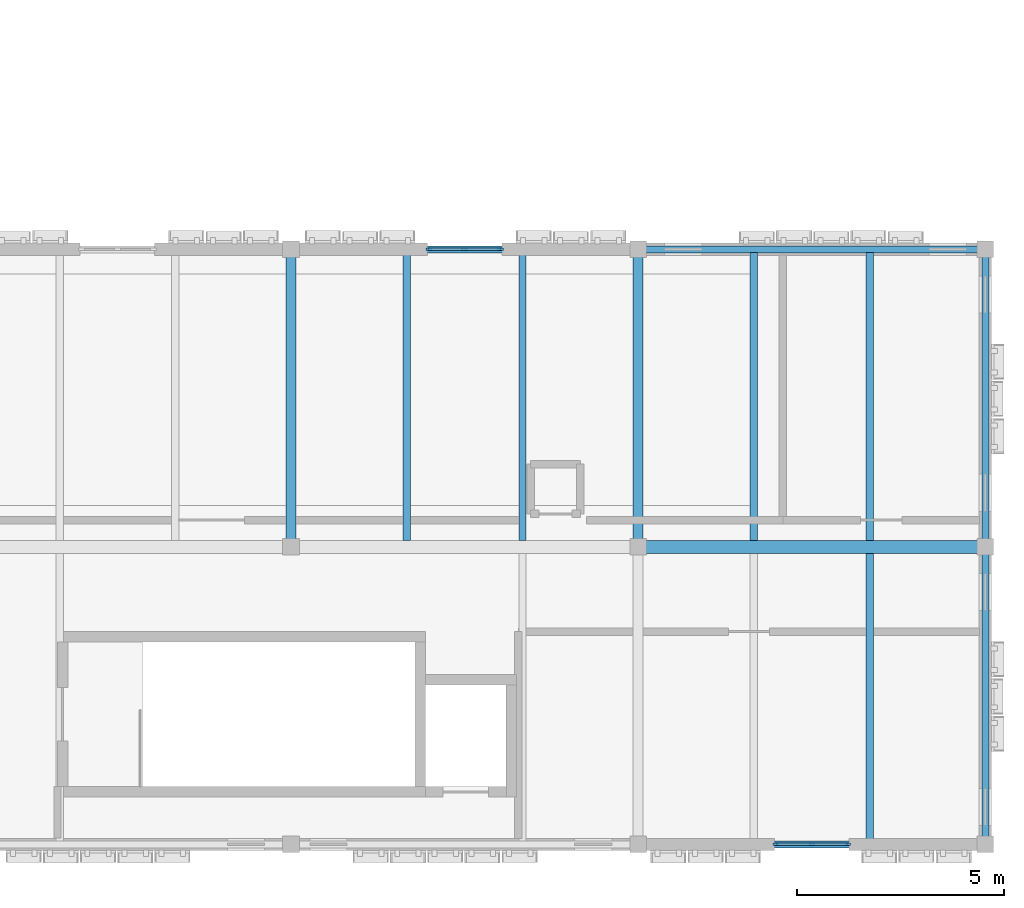
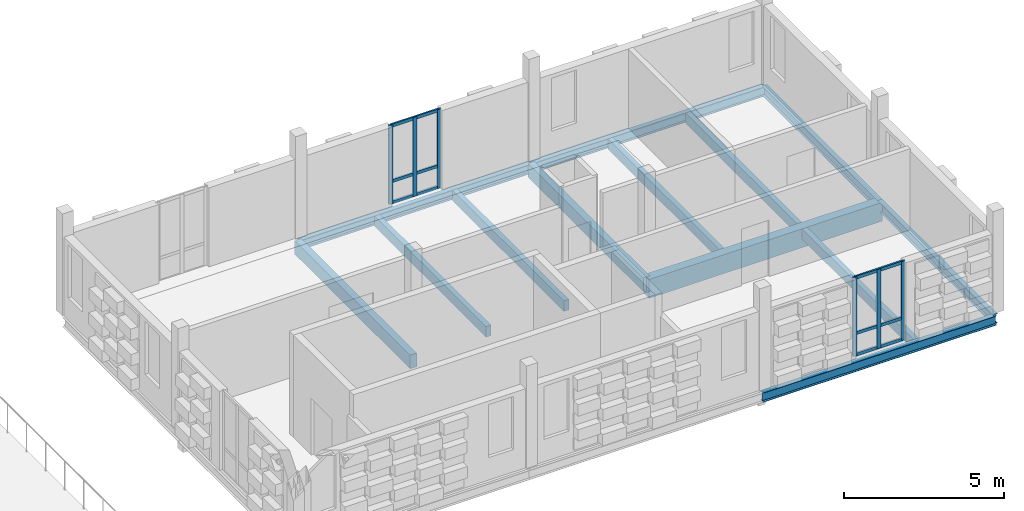
# One storey, part 13 of 57: 13 beams, 12 members, 2 elements without a shape of their own.
"""IFC4 building model written with IfcOpenShell, lengths in metres."""

from ifc_helpers import new_model, si_unit, direction, frame, origin, origin_2d, place, context, subcontext, project, spatial, rectangle, i_section, extrude, material, material_profile, profile_set, type_object, element, aggregate, save


model = new_model("IFC4")

# Units and contexts
model_context = context("Model", 3, precision=1e-05, world=origin(), true_north=direction((0.0, 1.0)))
body_context = subcontext(model_context, "Body", "Model", "MODEL_VIEW")
ifc_project = project(units=[si_unit("LENGTHUNIT", "METRE"), si_unit("AREAUNIT", "SQUARE_METRE"), si_unit("VOLUMEUNIT", "CUBIC_METRE"), si_unit("PLANEANGLEUNIT", "RADIAN"), si_unit("MASSUNIT", "GRAM", prefix="KILO")], contexts=[model_context])

# Site, building, storey
site_placement = place(None, origin())
site = spatial("IfcSite", under=ifc_project, at=site_placement, CompositionType="ELEMENT")
building_placement = place(site_placement, origin())
building = spatial("IfcBuilding", under=site, at=building_placement, Name="Kahlenmark Community Centre", CompositionType="ELEMENT")
storey_placement = place(building_placement, frame((0.0, 0.0, 13.800048828125)))
storey = spatial("IfcBuildingStorey", under=building, at=storey_placement, Name="L03", CompositionType="ELEMENT", Elevation=13.800048828125)

# Beams
ifc_material_1 = material(Name="Glulam GL32h", Category="wood")
ifc_material_profile_1 = material_profile(ifc_material_1, rectangle(XDim=0.239990234375, YDim=0.52001953125, at=origin_2d()), Name="GL32h 240x520")
ifc_profile_set_1 = profile_set([ifc_material_profile_1], Name="Glulam GL32h")
beam_type_1 = type_object("IfcBeamType", Name="BT-BEAM-GL32h240x520", PredefinedType="BEAM", material=ifc_profile_set_1)
for number, where, z_axis, x_axis, name in (
    (1, (100.0, 16.0, -0.4599609375), (0.0, 1.0, 0.0), (-1.0, 0.0, 0.0), "L03 beam BG-GL32h240x520"),
    (2, (108.39990234375, 16.0, -0.4599609375), (0.0, 1.0, 0.0), (-1.0, 0.0, 0.0), "L03 beam BG-GL32h240x520"),
):
    element("IfcBeam", number, at=place(storey_placement, frame(where, z_axis=z_axis, x_axis=x_axis)), inside=storey, type_object=beam_type_1, Name=name, PredefinedType="BEAM", context=body_context, shape_type="SweptSolid", body=[
        extrude(rectangle(XDim=0.239990234375, YDim=0.52001953125, at=origin_2d()), origin(), (0.0, 0.0, 1.0), 7.199951171875),
    ])
ifc_material_profile_2 = material_profile(ifc_material_1, rectangle(XDim=0.320068359375, YDim=0.719970703125, at=origin_2d()), Name="GL32h 320x720")
ifc_profile_set_2 = profile_set([ifc_material_profile_2], Name="Glulam GL32h")
beam_type_2 = type_object("IfcBeamType", Name="BT-BEAM-GL32h320x720", PredefinedType="BEAM", material=ifc_profile_set_2)
beam_1_placement = place(storey_placement, frame((108.39990234375, 16.0, -0.56005859375), z_axis=(1.0, 0.0, 0.0), x_axis=(0.0, 1.0, 0.0)))
element("IfcBeam", 3, at=beam_1_placement, inside=storey, type_object=beam_type_2, Name="L03 beam BG-GL32h320x720", PredefinedType="BEAM", context=body_context, shape_type="SweptSolid", body=[
    extrude(rectangle(XDim=0.320068359375, YDim=0.719970703125, at=origin_2d()), origin(), (0.0, 0.0, 1.0), 8.400146484375),
])
ifc_material_2 = material(Name="Glulam GL28h", Category="wood")
ifc_material_profile_3 = material_profile(ifc_material_2, rectangle(XDim=0.179931640625, YDim=0.39990234375, at=origin_2d()), Name="GL28h 180x400")
ifc_profile_set_3 = profile_set([ifc_material_profile_3], Name="Glulam GL28h")
beam_type_3 = type_object("IfcBeamType", Name="BT-JOIST-GL28h180x400", PredefinedType="JOIST", material=ifc_profile_set_3)
for number, where, z_axis, x_axis, name in (
    (4, (102.800048828125, 16.157958984375, -0.400146484375), (0.0, 1.0, 0.0), (-1.0, 0.0, 0.0), "L03 joist BJ-GL28h180x400"),
    (5, (105.60009765625, 16.157958984375, -0.400146484375), (0.0, 1.0, 0.0), (-1.0, 0.0, 0.0), "L03 joist BJ-GL28h180x400"),
    (6, (114.0, 8.883056640625, -0.400146484375), (0.0, 1.0, 0.0), (-1.0, 0.0, 0.0), "L03 joist BJ-GL28h180x400"),
    (7, (111.199951171875, 16.157958984375, -0.400146484375), (0.0, 1.0, 0.0), (-1.0, 0.0, 0.0), "L03 joist BJ-GL28h180x400"),
    (8, (114.0, 16.157958984375, -0.400146484375), (0.0, 1.0, 0.0), (-1.0, 0.0, 0.0), "L03 joist BJ-GL28h180x400"),
):
    element("IfcBeam", number, at=place(storey_placement, frame(where, z_axis=z_axis, x_axis=x_axis)), inside=storey, type_object=beam_type_3, Name=name, PredefinedType="JOIST", context=body_context, shape_type="SweptSolid", body=[
        extrude(rectangle(XDim=0.179931640625, YDim=0.39990234375, at=origin_2d()), origin(), (0.0, 0.0, 1.0), 6.958984375),
    ])
ifc_material_3 = material(Name="Steel S355", Category="steel")
ifc_material_profile_4 = material_profile(ifc_material_3, i_section(OverallWidth=0.169921875, OverallDepth=0.360107421875, WebThickness=0.008056640625, FlangeThickness=0.0126953125, at=origin_2d()), Name="IPE 360")
ifc_profile_set_4 = profile_set([ifc_material_profile_4], Name="Steel S355")
beam_type_4 = type_object("IfcBeamType", Name="BT-SPANDREL-IPE360", PredefinedType="SPANDREL", material=ifc_profile_set_4)
beam_2_placement = place(storey_placement, frame((108.39990234375, 8.800048828125, -0.380126953125), z_axis=(1.0, 0.0, 0.0), x_axis=(0.0, 1.0, 0.0)))
element("IfcBeam", 9, at=beam_2_placement, inside=storey, type_object=beam_type_4, Name="L03 spandrel SP-IPE360", PredefinedType="SPANDREL", context=body_context, shape_type="SweptSolid", body=[
    extrude(i_section(OverallWidth=0.169921875, OverallDepth=0.360107421875, WebThickness=0.008056640625, FlangeThickness=0.0126953125, at=origin_2d()), origin(), (0.0, 0.0, 1.0), 8.400146484375),
])
beam_3_placement = place(storey_placement, frame((100.0, 23.199951171875, -0.380126953125), z_axis=(1.0, 0.0, 0.0), x_axis=(0.0, 1.0, 0.0)))
element("IfcBeam", 10, at=beam_3_placement, inside=storey, type_object=beam_type_4, Name="L03 spandrel SP-IPE360", PredefinedType="SPANDREL", context=body_context, shape_type="SweptSolid", body=[
    extrude(i_section(OverallWidth=0.169921875, OverallDepth=0.360107421875, WebThickness=0.008056640625, FlangeThickness=0.0126953125, at=origin_2d()), origin(), (0.0, 0.0, 1.0), 8.39990234375),
])
beam_4_placement = place(storey_placement, frame((108.39990234375, 23.199951171875, -0.380126953125), z_axis=(1.0, 0.0, 0.0), x_axis=(0.0, 1.0, 0.0)))
element("IfcBeam", 11, at=beam_4_placement, inside=storey, type_object=beam_type_4, Name="L03 spandrel SP-IPE360", PredefinedType="SPANDREL", context=body_context, shape_type="SweptSolid", body=[
    extrude(i_section(OverallWidth=0.169921875, OverallDepth=0.360107421875, WebThickness=0.008056640625, FlangeThickness=0.0126953125, at=origin_2d()), origin(), (0.0, 0.0, 1.0), 8.400146484375),
])
for number, where, z_axis, x_axis, name in (
    (12, (116.800048828125, 8.800048828125, -0.380126953125), (0.0, 1.0, 0.0), (-1.0, 0.0, 0.0), "L03 spandrel SP-IPE360"),
    (13, (116.800048828125, 16.0, -0.380126953125), (0.0, 1.0, 0.0), (-1.0, 0.0, 0.0), "L03 spandrel SP-IPE360"),
):
    element("IfcBeam", number, at=place(storey_placement, frame(where, z_axis=z_axis, x_axis=x_axis)), inside=storey, type_object=beam_type_4, Name=name, PredefinedType="SPANDREL", context=body_context, shape_type="SweptSolid", body=[
        extrude(i_section(OverallWidth=0.169921875, OverallDepth=0.360107421875, WebThickness=0.008056640625, FlangeThickness=0.0126953125, at=origin_2d()), origin(), (0.0, 0.0, 1.0), 7.199951171875),
    ])

# Curtain wall, members
ifc_material_4 = material(Name="Anodised aluminium unitised curtain wall", Category="aluminium")
curtain_wall_type = type_object("IfcCurtainWallType", Name="CWT-UNIT-180X301", PredefinedType="USERDEFINED", material=ifc_material_4)
curtain_wall_1_placement = place(storey_placement, origin())
curtain_wall_1 = element("IfcCurtainWall", 14, at=curtain_wall_1_placement, inside=storey, type_object=curtain_wall_type, Name="Unitised curtain wall CW-129", ObjectType="UNITISED CURTAIN WALL", PredefinedType="USERDEFINED")
ifc_material_5 = material(Name="Anodised aluminium 6063-T6", Category="aluminium")
ifc_material_profile_5 = material_profile(ifc_material_5, rectangle(XDim=0.06005859375, YDim=0.139892578125, at=origin_2d()), Name="ALU MULLION 60x140")
ifc_profile_set_5 = profile_set([ifc_material_profile_5], Name="Anodised aluminium 6063-T6")
member_type_1 = type_object("IfcMemberType", Name="MT-MUL-140", PredefinedType="MULLION", material=ifc_profile_set_5)
member_1_placement = place(storey_placement, frame((111.72998046875, 8.800048828125, 0.0), z_axis=(0.0, 0.0, 1.0), x_axis=(0.0, 1.0, 0.0)))
member_1 = element("IfcMember", 15, at=member_1_placement, type_object=member_type_1, Name="CW-129 mullion 1", PredefinedType="MULLION", context=body_context, shape_type="SweptSolid", body=[
    extrude(rectangle(XDim=0.06005859375, YDim=0.139892578125, at=origin_2d()), origin(), (0.0, 0.0, 1.0), 3.010009765625),
])
member_2_placement = place(storey_placement, frame((112.60009765625, 8.800048828125, 0.0), z_axis=(0.0, 0.0, 1.0), x_axis=(0.0, 1.0, 0.0)))
member_2 = element("IfcMember", 16, at=member_2_placement, type_object=member_type_1, Name="CW-129 mullion 2", PredefinedType="MULLION", context=body_context, shape_type="SweptSolid", body=[
    extrude(rectangle(XDim=0.06005859375, YDim=0.139892578125, at=origin_2d()), origin(), (0.0, 0.0, 1.0), 3.010009765625),
])
member_3_placement = place(storey_placement, frame((113.469970703125, 8.800048828125, 0.0), z_axis=(0.0, 0.0, 1.0), x_axis=(0.0, 1.0, 0.0)))
member_3 = element("IfcMember", 17, at=member_3_placement, type_object=member_type_1, Name="CW-129 mullion 3", PredefinedType="MULLION", context=body_context, shape_type="SweptSolid", body=[
    extrude(rectangle(XDim=0.06005859375, YDim=0.139892578125, at=origin_2d()), origin(), (0.0, 0.0, 1.0), 3.010009765625),
])

curtain_wall_2_placement = place(storey_placement, origin())
curtain_wall_2 = element("IfcCurtainWall", 18, at=curtain_wall_2_placement, inside=storey, type_object=curtain_wall_type, Name="Unitised curtain wall CW-131", ObjectType="UNITISED CURTAIN WALL", PredefinedType="USERDEFINED")
member_4_placement = place(storey_placement, frame((105.070068359375, 23.199951171875, 0.0), z_axis=(0.0, 0.0, 1.0), x_axis=(0.0, -1.0, 0.0)))
member_4 = element("IfcMember", 19, at=member_4_placement, type_object=member_type_1, Name="CW-131 mullion 1", PredefinedType="MULLION", context=body_context, shape_type="SweptSolid", body=[
    extrude(rectangle(XDim=0.06005859375, YDim=0.139892578125, at=origin_2d()), origin(), (0.0, 0.0, 1.0), 3.010009765625),
])
member_5_placement = place(storey_placement, frame((104.199951171875, 23.199951171875, 0.0), z_axis=(0.0, 0.0, 1.0), x_axis=(0.0, -1.0, 0.0)))
member_5 = element("IfcMember", 20, at=member_5_placement, type_object=member_type_1, Name="CW-131 mullion 2", PredefinedType="MULLION", context=body_context, shape_type="SweptSolid", body=[
    extrude(rectangle(XDim=0.06005859375, YDim=0.139892578125, at=origin_2d()), origin(), (0.0, 0.0, 1.0), 3.010009765625),
])
member_6_placement = place(storey_placement, frame((103.330078125, 23.199951171875, 0.0), z_axis=(0.0, 0.0, 1.0), x_axis=(0.0, -1.0, 0.0)))
member_6 = element("IfcMember", 21, at=member_6_placement, type_object=member_type_1, Name="CW-131 mullion 3", PredefinedType="MULLION", context=body_context, shape_type="SweptSolid", body=[
    extrude(rectangle(XDim=0.06005859375, YDim=0.139892578125, at=origin_2d()), origin(), (0.0, 0.0, 1.0), 3.010009765625),
])

# Member
ifc_material_profile_6 = material_profile(ifc_material_5, rectangle(XDim=0.06005859375, YDim=0.1201171875, at=origin_2d()), Name="ALU TRANSOM 60x120")
ifc_profile_set_6 = profile_set([ifc_material_profile_6], Name="Anodised aluminium 6063-T6")
member_type_2 = type_object("IfcMemberType", Name="MT-TRN-120", PredefinedType="USERDEFINED", material=ifc_profile_set_6)
member_7_placement = place(storey_placement, frame((111.72998046875, 8.800048828125, 0.0400390625), z_axis=(1.0, 0.0, 0.0), x_axis=(0.0, 1.0, 0.0)))
member_7 = element("IfcMember", 22, at=member_7_placement, type_object=member_type_2, Name="CW-129 transom 1", ObjectType="TRANSOM", PredefinedType="USERDEFINED", context=body_context, shape_type="SweptSolid", body=[
    extrude(rectangle(XDim=0.06005859375, YDim=0.1201171875, at=origin_2d()), origin(), (0.0, 0.0, 1.0), 1.739990234375),
])

member_8_placement = place(storey_placement, frame((111.72998046875, 8.800048828125, 0.849853515625), z_axis=(1.0, 0.0, 0.0), x_axis=(0.0, 1.0, 0.0)))
member_8 = element("IfcMember", 23, at=member_8_placement, type_object=member_type_2, Name="CW-129 transom 2", ObjectType="TRANSOM", PredefinedType="USERDEFINED", context=body_context, shape_type="SweptSolid", body=[
    extrude(rectangle(XDim=0.06005859375, YDim=0.1201171875, at=origin_2d()), origin(), (0.0, 0.0, 1.0), 1.739990234375),
])

member_9_placement = place(storey_placement, frame((111.72998046875, 8.800048828125, 2.969970703125), z_axis=(1.0, 0.0, 0.0), x_axis=(0.0, 1.0, 0.0)))
member_9 = element("IfcMember", 24, at=member_9_placement, type_object=member_type_2, Name="CW-129 transom 3", ObjectType="TRANSOM", PredefinedType="USERDEFINED", context=body_context, shape_type="SweptSolid", body=[
    extrude(rectangle(XDim=0.06005859375, YDim=0.1201171875, at=origin_2d()), origin(), (0.0, 0.0, 1.0), 1.739990234375),
])

aggregate(curtain_wall_1, [member_1, member_2, member_3, member_7, member_8, member_9])

member_10_placement = place(storey_placement, frame((105.070068359375, 23.199951171875, 0.0400390625), z_axis=(-1.0, 0.0, 0.0), x_axis=(0.0, -1.0, 0.0)))
member_10 = element("IfcMember", 25, at=member_10_placement, type_object=member_type_2, Name="CW-131 transom 1", ObjectType="TRANSOM", PredefinedType="USERDEFINED", context=body_context, shape_type="SweptSolid", body=[
    extrude(rectangle(XDim=0.06005859375, YDim=0.1201171875, at=origin_2d()), origin(), (0.0, 0.0, 1.0), 1.739990234375),
])

member_11_placement = place(storey_placement, frame((105.070068359375, 23.199951171875, 0.849853515625), z_axis=(-1.0, 0.0, 0.0), x_axis=(0.0, -1.0, 0.0)))
member_11 = element("IfcMember", 26, at=member_11_placement, type_object=member_type_2, Name="CW-131 transom 2", ObjectType="TRANSOM", PredefinedType="USERDEFINED", context=body_context, shape_type="SweptSolid", body=[
    extrude(rectangle(XDim=0.06005859375, YDim=0.1201171875, at=origin_2d()), origin(), (0.0, 0.0, 1.0), 1.739990234375),
])

member_12_placement = place(storey_placement, frame((105.070068359375, 23.199951171875, 2.969970703125), z_axis=(-1.0, 0.0, 0.0), x_axis=(0.0, -1.0, 0.0)))
member_12 = element("IfcMember", 27, at=member_12_placement, type_object=member_type_2, Name="CW-131 transom 3", ObjectType="TRANSOM", PredefinedType="USERDEFINED", context=body_context, shape_type="SweptSolid", body=[
    extrude(rectangle(XDim=0.06005859375, YDim=0.1201171875, at=origin_2d()), origin(), (0.0, 0.0, 1.0), 1.739990234375),
])

aggregate(curtain_wall_2, [member_4, member_5, member_6, member_10, member_11, member_12])

save(model, "model.ifc")
